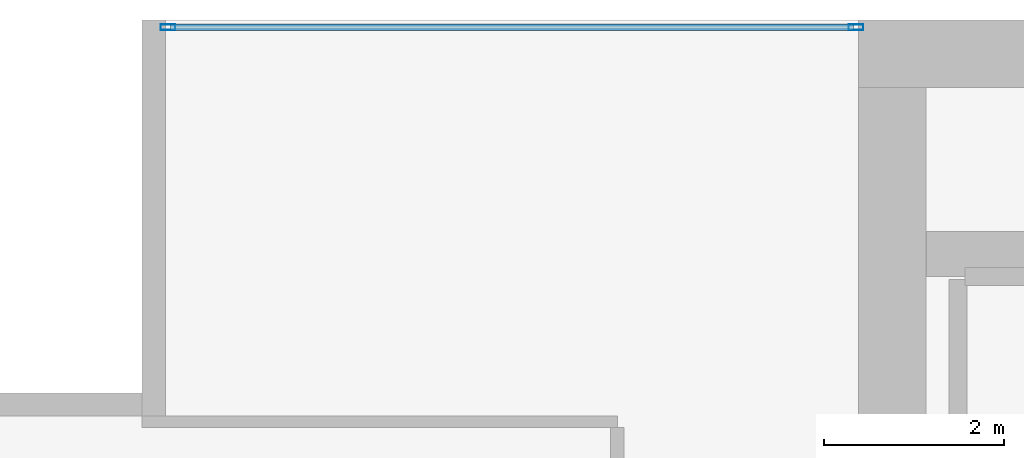
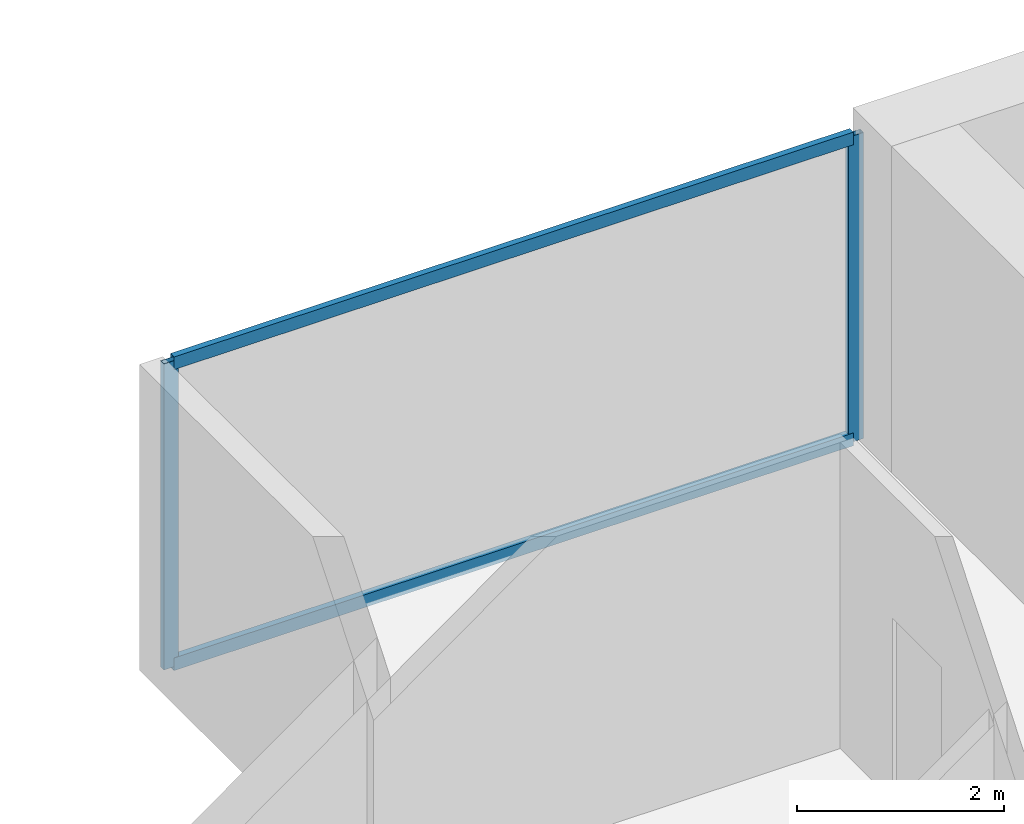
# One storey, part 22 of 34: 4 members, 1 element without a shape of its own.
"""IFC4 building model written with IfcOpenShell, lengths in metres."""

from ifc_helpers import new_model, si_unit, direction, frame, origin, origin_2d, place, context, subcontext, project, spatial, hollow_rectangle, extrude, material, layer, layer_set, material_profile, profile_set, type_object, element, aggregate, save


model = new_model("IFC4")

# Units and contexts
model_context = context("Model", 3, precision=1e-05, world=origin(), true_north=direction((0.0, 1.0)))
body_context = subcontext(model_context, "Body", "Model", "MODEL_VIEW")
ifc_project = project(units=[si_unit("LENGTHUNIT", "METRE"), si_unit("AREAUNIT", "SQUARE_METRE"), si_unit("VOLUMEUNIT", "CUBIC_METRE"), si_unit("PLANEANGLEUNIT", "RADIAN"), si_unit("MASSUNIT", "GRAM", prefix="KILO")], contexts=[model_context])

# Site, building, storey
site_placement = place(None, origin())
site = spatial("IfcSite", under=ifc_project, at=site_placement, CompositionType="ELEMENT")
building_placement = place(site_placement, origin())
building = spatial("IfcBuilding", under=site, at=building_placement, Name="Maruvema Waterfront Hotel and Observation Tower", CompositionType="ELEMENT")
storey_placement = place(building_placement, frame((0.0, 0.0, 208.25)))
storey = spatial("IfcBuildingStorey", under=building, at=storey_placement, Name="L51", CompositionType="ELEMENT", Elevation=208.25)

# Curtain wall, members
ifc_material_1 = material(Name="Anodised bronze aluminium and solar-control low-E IGU", Category="aluminium")
ifc_layer = layer(ifc_material_1, 0.159912109375, Name="Zone 2 Amber Inner Thermal Curtain Wall System CW-03")
ifc_layer_set = layer_set([ifc_layer], Name="Anodised bronze aluminium and solar-control low-E IGU")
curtain_wall_type = type_object("IfcCurtainWallType", Name="Zone 2 Amber Inner Thermal Curtain Wall System CW-03", PredefinedType="USERDEFINED", material=ifc_layer_set)
curtain_wall_placement = place(storey_placement, origin())
curtain_wall = element("IfcCurtainWall", 1, at=curtain_wall_placement, inside=storey, type_object=curtain_wall_type, Name="L51 Curtain Wall CW-L51-NW", ObjectType="UNITISED CURTAIN WALL", PredefinedType="USERDEFINED")
ifc_material_2 = material(Name="Anodised architectural bronze aluminium", Category="aluminium")
ifc_material_profile_1 = material_profile(ifc_material_2, hollow_rectangle(XDim=0.070068359375, YDim=0.14990234375, WallThickness=0.00390625, at=origin_2d()), Name="ALU-T70x150")
ifc_profile_set_1 = profile_set([ifc_material_profile_1], Name="Anodised architectural bronze aluminium")
member_type_1 = type_object("IfcMemberType", Name="Curtain Wall Horizontal Transom ALU-T70x150", PredefinedType="USERDEFINED", material=ifc_profile_set_1)
member_1_placement = place(storey_placement, frame((25.139892578125, 53.919921875, 0.030029296875), z_axis=(-1.0, 0.0, 0.0), x_axis=(0.0, -1.0, 0.0)))
member_1 = element("IfcMember", 2, at=member_1_placement, type_object=member_type_1, Name="CW-03 transom 1.1", ObjectType="TRANSOM", PredefinedType="USERDEFINED", context=body_context, shape_type="SweptSolid", body=[
    extrude(hollow_rectangle(XDim=0.070068359375, YDim=0.14990234375, WallThickness=0.00390625, at=origin_2d()), origin(), (0.0, 0.0, 1.0), 7.579833984375),
])
member_2_placement = place(storey_placement, frame((25.139892578125, 53.919921875, 3.580078125), z_axis=(-1.0, 0.0, 0.0), x_axis=(0.0, -1.0, 0.0)))
member_2 = element("IfcMember", 3, at=member_2_placement, type_object=member_type_1, Name="CW-03 transom 1.2", ObjectType="TRANSOM", PredefinedType="USERDEFINED", context=body_context, shape_type="SweptSolid", body=[
    extrude(hollow_rectangle(XDim=0.070068359375, YDim=0.14990234375, WallThickness=0.00390625, at=origin_2d()), origin(), (0.0, 0.0, 1.0), 7.579833984375),
])
ifc_material_3 = material(Name="Anodised architectural bronze aluminium", Category="aluminium")
ifc_material_profile_2 = material_profile(ifc_material_3, hollow_rectangle(XDim=0.06494140625, YDim=0.1650390625, WallThickness=0.00390625, at=origin_2d()), Name="ALU-M65x165")
ifc_profile_set_2 = profile_set([ifc_material_profile_2], Name="Anodised architectural bronze aluminium")
member_type_2 = type_object("IfcMemberType", Name="Curtain Wall Primary Mullion ALU-M65x165", PredefinedType="MULLION", material=ifc_profile_set_2)
member_3_placement = place(storey_placement, frame((25.169921875, 53.919921875, 0.0), z_axis=(0.0, 0.0, 1.0), x_axis=(0.0, -1.0, 0.0)))
member_3 = element("IfcMember", 4, at=member_3_placement, type_object=member_type_2, Name="CW-03 mullion 1", PredefinedType="MULLION", context=body_context, shape_type="SweptSolid", body=[
    extrude(hollow_rectangle(XDim=0.06494140625, YDim=0.1650390625, WallThickness=0.00390625, at=origin_2d()), origin(), (0.0, 0.0, 1.0), 3.610107421875),
])
member_4_placement = place(storey_placement, frame((17.530029296875, 53.919921875, 0.0), z_axis=(0.0, 0.0, 1.0), x_axis=(0.0, -1.0, 0.0)))
member_4 = element("IfcMember", 5, at=member_4_placement, type_object=member_type_2, Name="CW-03 mullion 2", PredefinedType="MULLION", context=body_context, shape_type="SweptSolid", body=[
    extrude(hollow_rectangle(XDim=0.06494140625, YDim=0.1650390625, WallThickness=0.00390625, at=origin_2d()), origin(), (0.0, 0.0, 1.0), 3.610107421875),
])
aggregate(curtain_wall, [member_3, member_4, member_1, member_2])

save(model, "model.ifc")
